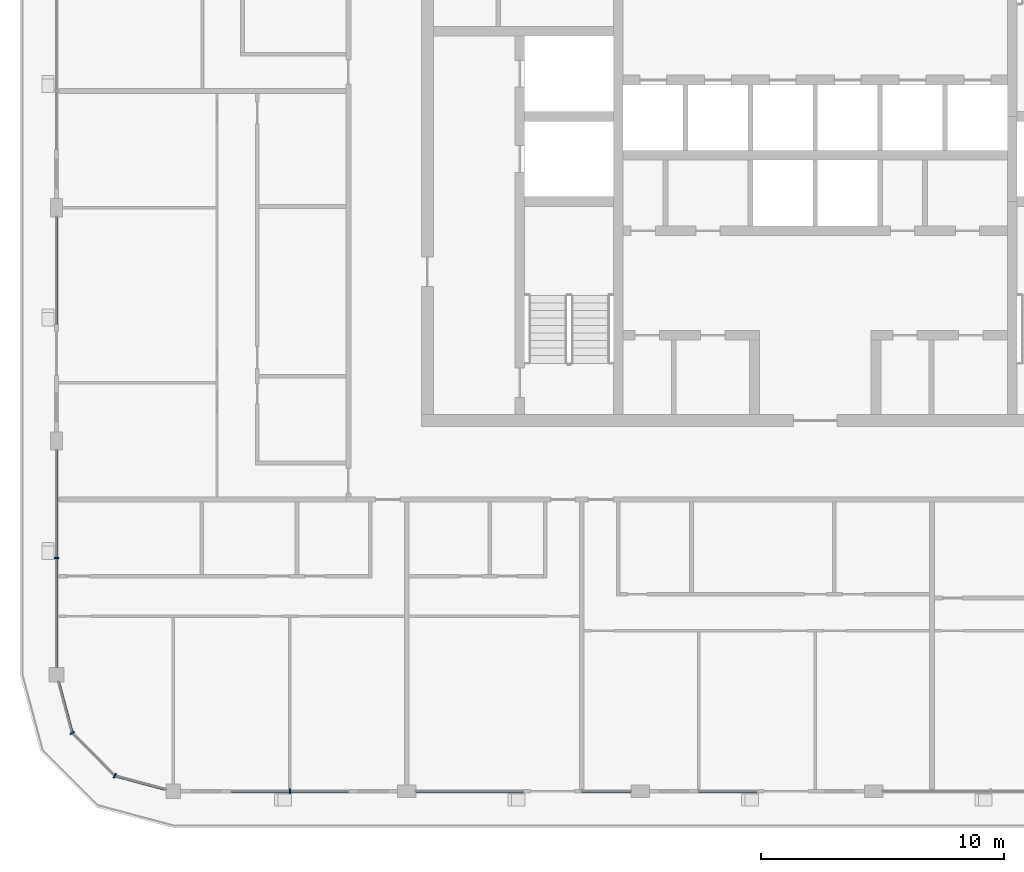
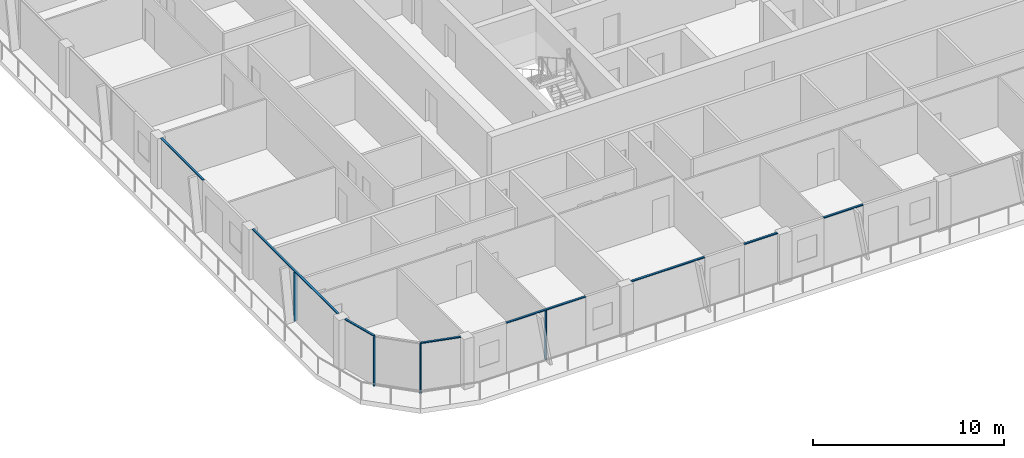
# One storey, part 2 of 22: 12 members, 6 elements without a shape of their own.
"""IFC4 building model written with IfcOpenShell, lengths in metres."""

from ifc_helpers import new_model, si_unit, direction, frame, origin, origin_2d, place, context, subcontext, project, spatial, rectangle, extrude, material, layer, layer_set, material_profile, profile_set, type_object, element, aggregate, save


model = new_model("IFC4")

# Units and contexts
model_context = context("Model", 3, precision=1e-05, world=origin(), true_north=direction((0.0, 1.0)))
body_context = subcontext(model_context, "Body", "Model", "MODEL_VIEW")
ifc_project = project(units=[si_unit("LENGTHUNIT", "METRE"), si_unit("AREAUNIT", "SQUARE_METRE"), si_unit("VOLUMEUNIT", "CUBIC_METRE"), si_unit("PLANEANGLEUNIT", "RADIAN"), si_unit("MASSUNIT", "GRAM", prefix="KILO")], contexts=[model_context])

# Site, building, storey
site_placement = place(None, origin())
site = spatial("IfcSite", under=ifc_project, at=site_placement, CompositionType="ELEMENT")
building_placement = place(site_placement, origin())
building = spatial("IfcBuilding", under=site, at=building_placement, Name="Madar Terraces", CompositionType="ELEMENT")
storey_placement = place(building_placement, frame((0.0, 0.0, 279.10009765625)))
storey = spatial("IfcBuildingStorey", under=building, at=storey_placement, Name="L73", CompositionType="ELEMENT", Elevation=279.10009765625)

# Curtain wall, member
ifc_material_1 = material(Name="Glass, ceramic frit dark grey, with black aluminium frame", Category="aluminium")
ifc_layer = layer(ifc_material_1, 0.199951171875)
ifc_layer_set = layer_set([ifc_layer], Name="Facade curtain wall, fritted glass")
curtain_wall_type = type_object("IfcCurtainWallType", Name="Facade curtain wall, fritted glass", PredefinedType="NOTDEFINED", material=ifc_layer_set)
curtain_wall_1_placement = place(storey_placement, origin())
curtain_wall_1 = element("IfcCurtainWall", 1, at=curtain_wall_1_placement, inside=storey, type_object=curtain_wall_type, Name="Outer skin curtain wall south bay 1", PredefinedType="NOTDEFINED")
ifc_material_2 = material(Name="Aluminium, black anodised", Category="aluminium")
ifc_material_profile_1 = material_profile(ifc_material_2, rectangle(XDim=0.199951171875, YDim=0.06005859375, at=origin_2d()), Name="Facade mullion 60x200")
ifc_profile_set_1 = profile_set([ifc_material_profile_1], Name="Aluminium, black anodised")
member_type_1 = type_object("IfcMemberType", Name="Facade mullion 60x200", PredefinedType="MULLION", material=ifc_profile_set_1)
member_1_placement = place(storey_placement, frame((9.60009765625, 0.0, 0.0), z_axis=(0.0, 0.0, 1.0), x_axis=(0.0, 1.0, 0.0)))
member_1 = element("IfcMember", 2, at=member_1_placement, type_object=member_type_1, Name="Mullion 1", PredefinedType="MULLION", context=body_context, shape_type="SweptSolid", body=[
    extrude(rectangle(XDim=0.199951171875, YDim=0.06005859375, at=origin_2d()), origin(), (0.0, 0.0, 1.0), 3.139892578125),
])

curtain_wall_2_placement = place(storey_placement, origin())
curtain_wall_2 = element("IfcCurtainWall", 3, at=curtain_wall_2_placement, inside=storey, type_object=curtain_wall_type, Name="Outer skin curtain wall west bay 4", PredefinedType="NOTDEFINED")
member_2_placement = place(storey_placement, frame((0.0, 9.60009765625, 0.0), z_axis=(0.0, 0.0, 1.0), x_axis=(1.0, 0.0, 0.0)))
member_2 = element("IfcMember", 4, at=member_2_placement, type_object=member_type_1, Name="Mullion 1", PredefinedType="MULLION", context=body_context, shape_type="SweptSolid", body=[
    extrude(rectangle(XDim=0.199951171875, YDim=0.06005859375, at=origin_2d()), origin(), (0.0, 0.0, 1.0), 3.139892578125),
])

# Curtain wall, members
curtain_wall_3_placement = place(storey_placement, origin())
curtain_wall_3 = element("IfcCurtainWall", 5, at=curtain_wall_3_placement, inside=storey, type_object=curtain_wall_type, Name="Outer skin curtain wall south-west corner", PredefinedType="NOTDEFINED")
member_3_placement = place(storey_placement, frame((0.64306640625, 2.39990234375, 0.0), z_axis=(0.0, 0.0, 1.0), x_axis=(0.866025409797, 0.499999989586, 0.0)))
member_3 = element("IfcMember", 6, at=member_3_placement, type_object=member_type_1, Name="Mullion 1", PredefinedType="MULLION", context=body_context, shape_type="SweptSolid", body=[
    extrude(rectangle(XDim=0.199951171875, YDim=0.06005859375, at=origin_2d()), origin(), (0.0, 0.0, 1.0), 3.139892578125),
])
member_4_placement = place(storey_placement, frame((2.39990234375, 0.64306640625, 0.0), z_axis=(0.0, 0.0, 1.0), x_axis=(0.499999989586, 0.866025409797, 0.0)))
member_4 = element("IfcMember", 7, at=member_4_placement, type_object=member_type_1, Name="Mullion 2", PredefinedType="MULLION", context=body_context, shape_type="SweptSolid", body=[
    extrude(rectangle(XDim=0.199951171875, YDim=0.06005859375, at=origin_2d()), origin(), (0.0, 0.0, 1.0), 3.139892578125),
])

# Member
ifc_material_3 = material(Name="Aluminium, black anodised", Category="aluminium")
ifc_material_profile_2 = material_profile(ifc_material_3, rectangle(XDim=0.1201171875, YDim=0.06005859375, at=origin_2d()), Name="Facade transom 60x120")
ifc_profile_set_2 = profile_set([ifc_material_profile_2], Name="Aluminium, black anodised")
member_type_2 = type_object("IfcMemberType", Name="Facade transom 60x120", PredefinedType="USERDEFINED", material=ifc_profile_set_2)
member_5_placement = place(storey_placement, frame((7.199951171875, 0.0, 3.169921875), z_axis=(1.0, 0.0, 0.0), x_axis=(0.0, 1.0, 0.0)))
member_5 = element("IfcMember", 8, at=member_5_placement, type_object=member_type_2, Name="Transom 1", ObjectType="TRANSOM", PredefinedType="USERDEFINED", context=body_context, shape_type="SweptSolid", body=[
    extrude(rectangle(XDim=0.1201171875, YDim=0.06005859375, at=origin_2d()), origin(), (0.0, 0.0, 1.0), 4.800048828125),
])

aggregate(curtain_wall_1, [member_1, member_5])

# Curtain wall, members
curtain_wall_4_placement = place(storey_placement, origin())
curtain_wall_4 = element("IfcCurtainWall", 9, at=curtain_wall_4_placement, inside=storey, type_object=curtain_wall_type, Name="Outer skin curtain wall south bay 2", PredefinedType="NOTDEFINED")
member_6_placement = place(storey_placement, frame((14.77490234375, 0.0, 3.169921875), z_axis=(1.0, 0.0, 0.0), x_axis=(0.0, 1.0, 0.0)))
member_6 = element("IfcMember", 10, at=member_6_placement, type_object=member_type_2, Name="Transom 1", ObjectType="TRANSOM", PredefinedType="USERDEFINED", context=body_context, shape_type="SweptSolid", body=[
    extrude(rectangle(XDim=0.1201171875, YDim=0.06005859375, at=origin_2d()), origin(), (0.0, 0.0, 1.0), 4.425048828125),
])
member_7_placement = place(storey_placement, frame((21.60009765625, 0.0, 3.169921875), z_axis=(1.0, 0.0, 0.0), x_axis=(0.0, 1.0, 0.0)))
member_7 = element("IfcMember", 11, at=member_7_placement, type_object=member_type_2, Name="Transom 2", ObjectType="TRANSOM", PredefinedType="USERDEFINED", context=body_context, shape_type="SweptSolid", body=[
    extrude(rectangle(XDim=0.1201171875, YDim=0.06005859375, at=origin_2d()), origin(), (0.0, 0.0, 1.0), 2.02490234375),
])
aggregate(curtain_wall_4, [member_6, member_7])

# Curtain wall, member
curtain_wall_5_placement = place(storey_placement, origin())
curtain_wall_5 = element("IfcCurtainWall", 12, at=curtain_wall_5_placement, inside=storey, type_object=curtain_wall_type, Name="Outer skin curtain wall south bay 3", PredefinedType="NOTDEFINED")
member_8_placement = place(storey_placement, frame((26.39990234375, 0.0, 3.169921875), z_axis=(1.0, 0.0, 0.0), x_axis=(0.0, 1.0, 0.0)))
member_8 = element("IfcMember", 13, at=member_8_placement, type_object=member_type_2, Name="Transom 1", ObjectType="TRANSOM", PredefinedType="USERDEFINED", context=body_context, shape_type="SweptSolid", body=[
    extrude(rectangle(XDim=0.1201171875, YDim=0.06005859375, at=origin_2d()), origin(), (0.0, 0.0, 1.0), 2.400146484375),
])
aggregate(curtain_wall_5, [member_8])

curtain_wall_6_placement = place(storey_placement, origin())
curtain_wall_6 = element("IfcCurtainWall", 14, at=curtain_wall_6_placement, inside=storey, type_object=curtain_wall_type, Name="Outer skin curtain wall west bay 3", PredefinedType="NOTDEFINED")
member_9_placement = place(storey_placement, frame((0.0, 23.625, 3.169921875), z_axis=(0.0, -1.0, 0.0), x_axis=(1.0, 0.0, 0.0)))
member_9 = element("IfcMember", 15, at=member_9_placement, type_object=member_type_2, Name="Transom 1", ObjectType="TRANSOM", PredefinedType="USERDEFINED", context=body_context, shape_type="SweptSolid", body=[
    extrude(rectangle(XDim=0.1201171875, YDim=0.06005859375, at=origin_2d()), origin(), (0.0, 0.0, 1.0), 4.425048828125),
])
aggregate(curtain_wall_6, [member_9])

# Member
member_10_placement = place(storey_placement, frame((0.0, 14.02490234375, 3.169921875), z_axis=(0.0, -1.0, 0.0), x_axis=(1.0, 0.0, 0.0)))
member_10 = element("IfcMember", 16, at=member_10_placement, type_object=member_type_2, Name="Transom 1", ObjectType="TRANSOM", PredefinedType="USERDEFINED", context=body_context, shape_type="SweptSolid", body=[
    extrude(rectangle(XDim=0.1201171875, YDim=0.06005859375, at=origin_2d()), origin(), (0.0, 0.0, 1.0), 8.9248046875),
])

aggregate(curtain_wall_2, [member_2, member_10])

member_11_placement = place(storey_placement, frame((0.080322265625, 4.5, 3.169921875), z_axis=(0.258817664066, -0.965926196336, 0.0), x_axis=(0.965926196336, 0.258817664066, 0.0)))
member_11 = element("IfcMember", 17, at=member_11_placement, type_object=member_type_2, Name="Transom 1", ObjectType="TRANSOM", PredefinedType="USERDEFINED", context=body_context, shape_type="SweptSolid", body=[
    extrude(rectangle(XDim=0.1201171875, YDim=0.06005859375, at=origin_2d()), origin(), (0.0, 0.0, 1.0), 2.14404296875),
])

member_12_placement = place(storey_placement, frame((2.428955078125, 0.63525390625, 3.169921875), z_axis=(0.965926196336, -0.258817664066, 0.0), x_axis=(0.258817664066, 0.965926196336, 0.0)))
member_12 = element("IfcMember", 18, at=member_12_placement, type_object=member_type_2, Name="Transom 3", ObjectType="TRANSOM", PredefinedType="USERDEFINED", context=body_context, shape_type="SweptSolid", body=[
    extrude(rectangle(XDim=0.1201171875, YDim=0.06005859375, at=origin_2d()), origin(), (0.0, 0.0, 1.0), 2.14404296875),
])

aggregate(curtain_wall_3, [member_3, member_11, member_4, member_12])

save(model, "model.ifc")
